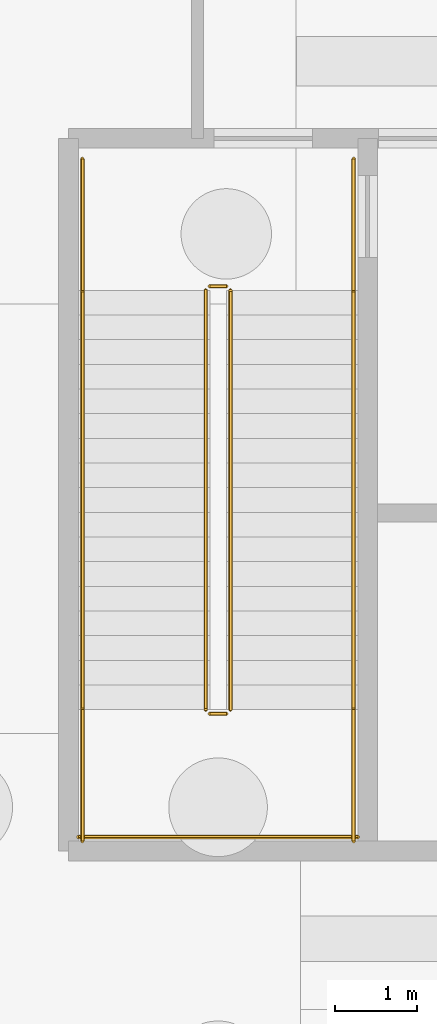
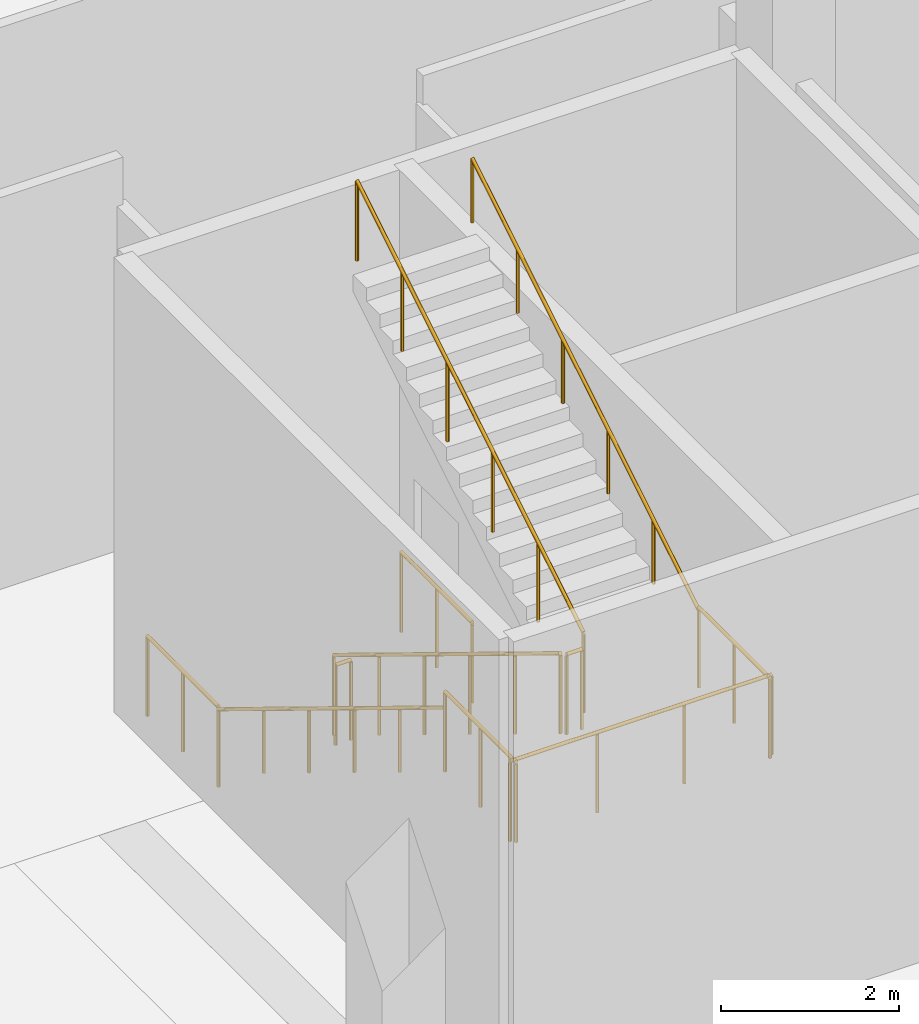
# One storey, part 106 of 117: 11 railings.
"""IFC4 building model written with IfcOpenShell, lengths in metres."""

from ifc_helpers import new_model, si_unit, direction, frame, origin, origin_2d, place, context, subcontext, project, spatial, circle, extrude, material, type_object, element, save


model = new_model("IFC4")

# Units and contexts
model_context = context("Model", 3, precision=1e-05, world=origin(), true_north=direction((0.0, 1.0)))
body_context = subcontext(model_context, "Body", "Model", "MODEL_VIEW")
ifc_project = project(units=[si_unit("LENGTHUNIT", "METRE"), si_unit("AREAUNIT", "SQUARE_METRE"), si_unit("VOLUMEUNIT", "CUBIC_METRE"), si_unit("PLANEANGLEUNIT", "RADIAN"), si_unit("MASSUNIT", "GRAM", prefix="KILO")], contexts=[model_context])

# Site, building, storey
site_placement = place(None, origin())
site = spatial("IfcSite", under=ifc_project, at=site_placement, CompositionType="ELEMENT")
building_placement = place(site_placement, origin())
building = spatial("IfcBuilding", under=site, at=building_placement, Name="Kamomehara Wholesale Market", CompositionType="ELEMENT")
storey_placement = place(building_placement, origin())
storey = spatial("IfcBuildingStorey", under=building, at=storey_placement, Name="L00", CompositionType="ELEMENT", Elevation=0.0)

# Railings
ifc_material_1 = material(Name="Steel SN400B", Category="steel")
railing_type_1 = type_object("IfcRailingType", Name="RAL-HND-900", PredefinedType="HANDRAIL", material=ifc_material_1)
railing_1_placement = place(storey_placement, frame((50.75, 128.75, 0.183349609375)))
element("IfcRailing", 1, at=railing_1_placement, inside=storey, type_object=railing_type_1, Name="L00 ST-01 stair handrail 1", PredefinedType="HANDRAIL", context=body_context, shape_type="SweptSolid", body=[
    extrude(circle(Radius=0.02392578125, at=origin_2d()), frame((0.0, 0.0, 0.8759765625), z_axis=(0.0, -0.853283853024, 0.521446705012), x_axis=(1.0, 0.0, 0.0)), (0.0, 0.0, 1.0), 5.97705078125),
    extrude(circle(Radius=0.02099609375, at=origin_2d()), origin(), (0.0, 0.0, 1.0), 0.851806640625),
    extrude(circle(Radius=0.02099609375, at=origin_2d()), frame((0.0, -1.02001953125, 0.623291015625)), (0.0, 0.0, 1.0), 0.851806640625),
    extrude(circle(Radius=0.02099609375, at=origin_2d()), frame((0.0, -2.0400390625, 1.24658203125)), (0.0, 0.0, 1.0), 0.851806640625),
    extrude(circle(Radius=0.02099609375, at=origin_2d()), frame((0.0, -3.06005859375, 1.8701171875)), (0.0, 0.0, 1.0), 0.851806640625),
    extrude(circle(Radius=0.02099609375, at=origin_2d()), frame((0.0, -4.080078125, 2.493408203125)), (0.0, 0.0, 1.0), 0.851806640625),
    extrude(circle(Radius=0.02099609375, at=origin_2d()), frame((0.0, -5.10009765625, 3.11669921875)), (0.0, 0.0, 1.0), 0.851806640625),
])
railing_2_placement = place(storey_placement, frame((54.050048828125, 123.64990234375, 3.4833984375)))
element("IfcRailing", 2, at=railing_2_placement, inside=storey, type_object=railing_type_1, Name="L00 ST-01 stair handrail 2", PredefinedType="HANDRAIL", context=body_context, shape_type="SweptSolid", body=[
    extrude(circle(Radius=0.02392578125, at=origin_2d()), frame((0.0, 0.0, 0.8759765625), z_axis=(0.0, 0.853283853024, 0.521446705012), x_axis=(-1.0, 0.0, 0.0)), (0.0, 0.0, 1.0), 5.97705078125),
    extrude(circle(Radius=0.02099609375, at=origin_2d()), origin(), (0.0, 0.0, 1.0), 0.851806640625),
    extrude(circle(Radius=0.02099609375, at=origin_2d()), frame((0.0, 1.02001953125, 0.623291015625)), (0.0, 0.0, 1.0), 0.851806640625),
    extrude(circle(Radius=0.02099609375, at=origin_2d()), frame((0.0, 2.0400390625, 1.24658203125)), (0.0, 0.0, 1.0), 0.851806640625),
    extrude(circle(Radius=0.02099609375, at=origin_2d()), frame((0.0, 3.06005859375, 1.8701171875)), (0.0, 0.0, 1.0), 0.851806640625),
    extrude(circle(Radius=0.02099609375, at=origin_2d()), frame((0.0, 4.080078125, 2.493408203125)), (0.0, 0.0, 1.0), 0.851806640625),
    extrude(circle(Radius=0.02099609375, at=origin_2d()), frame((0.0, 5.10009765625, 3.11669921875)), (0.0, 0.0, 1.0), 0.851806640625),
])
ifc_material_2 = material(Name="Steel SN400B", Category="steel")
railing_type_2 = type_object("IfcRailingType", Name="RAL-INT-1100", PredefinedType="BALUSTRADE", material=ifc_material_2)
railing_3_placement = place(storey_placement, frame((52.25, 128.75, 0.183349609375)))
element("IfcRailing", 3, at=railing_3_placement, inside=storey, type_object=railing_type_2, Name="L00 ST-01 stair guard 1", PredefinedType="BALUSTRADE", context=body_context, shape_type="SweptSolid", body=[
    extrude(circle(Radius=0.02392578125, at=origin_2d()), frame((0.0, 0.0, 1.09619140625), z_axis=(0.0, -0.853283853024, 0.521446705012), x_axis=(1.0, 0.0, 0.0)), (0.0, 0.0, 1.0), 5.97705078125),
    extrude(circle(Radius=0.02099609375, at=origin_2d()), origin(), (0.0, 0.0, 1.0), 1.072021484375),
    extrude(circle(Radius=0.02099609375, at=origin_2d()), frame((0.0, -1.02001953125, 0.623291015625)), (0.0, 0.0, 1.0), 1.072021484375),
    extrude(circle(Radius=0.02099609375, at=origin_2d()), frame((0.0, -2.0400390625, 1.24658203125)), (0.0, 0.0, 1.0), 1.072021484375),
    extrude(circle(Radius=0.02099609375, at=origin_2d()), frame((0.0, -3.06005859375, 1.8701171875)), (0.0, 0.0, 1.0), 1.072021484375),
    extrude(circle(Radius=0.02099609375, at=origin_2d()), frame((0.0, -4.080078125, 2.493408203125)), (0.0, 0.0, 1.0), 1.072021484375),
    extrude(circle(Radius=0.02099609375, at=origin_2d()), frame((0.0, -5.10009765625, 3.11669921875)), (0.0, 0.0, 1.0), 1.072021484375),
])
railing_4_placement = place(storey_placement, frame((52.300048828125, 123.60009765625, 3.300048828125)))
element("IfcRailing", 4, at=railing_4_placement, inside=storey, type_object=railing_type_2, Name="L00 ST-01 stair guard 2", PredefinedType="BALUSTRADE", context=body_context, shape_type="SweptSolid", body=[
    extrude(circle(Radius=0.02392578125, at=origin_2d()), frame((0.0, 0.0, 1.09619140625), z_axis=(1.0, 0.0, 0.0), x_axis=(0.0, 1.0, 0.0)), (0.0, 0.0, 1.0), 0.199951171875),
    extrude(circle(Radius=0.02099609375, at=origin_2d()), origin(), (0.0, 0.0, 1.0), 1.072021484375),
    extrude(circle(Radius=0.02099609375, at=origin_2d()), frame((0.199951171875, 0.0, 0.0)), (0.0, 0.0, 1.0), 1.072021484375),
])
for number, where, name in (
    (5, (50.75, 123.64990234375, 3.300048828125), "L00 ST-01 stair guard 3"),
    (6, (54.050048828125, 123.64990234375, 3.300048828125), "L00 ST-01 stair guard 4"),
):
    element("IfcRailing", number, at=place(storey_placement, frame(where)), inside=storey, type_object=railing_type_2, Name=name, PredefinedType="BALUSTRADE", context=body_context, shape_type="SweptSolid", body=[
        extrude(circle(Radius=0.02392578125, at=origin_2d()), frame((0.0, 0.0, 1.09619140625), z_axis=(0.0, -1.0, 0.0), x_axis=(1.0, 0.0, 0.0)), (0.0, 0.0, 1.0), 1.599853515625),
        extrude(circle(Radius=0.02099609375, at=origin_2d()), origin(), (0.0, 0.0, 1.0), 1.072021484375),
        extrude(circle(Radius=0.02099609375, at=origin_2d()), frame((0.0, -0.7998046875, 0.0)), (0.0, 0.0, 1.0), 1.072021484375),
        extrude(circle(Radius=0.02099609375, at=origin_2d()), frame((0.0, -1.599853515625, 0.0)), (0.0, 0.0, 1.0), 1.072021484375),
    ])
railing_5_placement = place(storey_placement, frame((50.699951171875, 122.10009765625, 3.300048828125)))
element("IfcRailing", 7, at=railing_5_placement, inside=storey, type_object=railing_type_2, Name="L00 ST-01 stair guard 5", PredefinedType="BALUSTRADE", context=body_context, shape_type="SweptSolid", body=[
    extrude(circle(Radius=0.02392578125, at=origin_2d()), frame((0.0, 0.0, 1.09619140625), z_axis=(1.0, 0.0, 0.0), x_axis=(0.0, 1.0, 0.0)), (0.0, 0.0, 1.0), 3.400146484375),
    extrude(circle(Radius=0.02099609375, at=origin_2d()), origin(), (0.0, 0.0, 1.0), 1.072021484375),
    extrude(circle(Radius=0.02099609375, at=origin_2d()), frame((1.13330078125, 0.0, 0.0)), (0.0, 0.0, 1.0), 1.072021484375),
    extrude(circle(Radius=0.02099609375, at=origin_2d()), frame((2.266845703125, 0.0, 0.0)), (0.0, 0.0, 1.0), 1.072021484375),
    extrude(circle(Radius=0.02099609375, at=origin_2d()), frame((3.400146484375, 0.0, 0.0)), (0.0, 0.0, 1.0), 1.072021484375),
])
railing_6_placement = place(storey_placement, frame((52.550048828125, 123.64990234375, 3.4833984375)))
element("IfcRailing", 8, at=railing_6_placement, inside=storey, type_object=railing_type_2, Name="L00 ST-01 stair guard 6", PredefinedType="BALUSTRADE", context=body_context, shape_type="SweptSolid", body=[
    extrude(circle(Radius=0.02392578125, at=origin_2d()), frame((0.0, 0.0, 1.09619140625), z_axis=(0.0, 0.853283853024, 0.521446705012), x_axis=(-1.0, 0.0, 0.0)), (0.0, 0.0, 1.0), 5.97705078125),
    extrude(circle(Radius=0.02099609375, at=origin_2d()), origin(), (0.0, 0.0, 1.0), 1.072021484375),
    extrude(circle(Radius=0.02099609375, at=origin_2d()), frame((0.0, 1.02001953125, 0.623291015625)), (0.0, 0.0, 1.0), 1.072021484375),
    extrude(circle(Radius=0.02099609375, at=origin_2d()), frame((0.0, 2.0400390625, 1.24658203125)), (0.0, 0.0, 1.0), 1.072021484375),
    extrude(circle(Radius=0.02099609375, at=origin_2d()), frame((0.0, 3.06005859375, 1.8701171875)), (0.0, 0.0, 1.0), 1.072021484375),
    extrude(circle(Radius=0.02099609375, at=origin_2d()), frame((0.0, 4.080078125, 2.493408203125)), (0.0, 0.0, 1.0), 1.072021484375),
    extrude(circle(Radius=0.02099609375, at=origin_2d()), frame((0.0, 5.10009765625, 3.11669921875)), (0.0, 0.0, 1.0), 1.072021484375),
])
railing_7_placement = place(storey_placement, frame((52.300048828125, 128.800048828125, 0.0)))
element("IfcRailing", 9, at=railing_7_placement, inside=storey, type_object=railing_type_2, Name="L00 ST-01 stair guard 7", PredefinedType="BALUSTRADE", context=body_context, shape_type="SweptSolid", body=[
    extrude(circle(Radius=0.02392578125, at=origin_2d()), frame((0.0, 0.0, 1.09619140625), z_axis=(1.0, 0.0, 0.0), x_axis=(0.0, 1.0, 0.0)), (0.0, 0.0, 1.0), 0.199951171875),
    extrude(circle(Radius=0.02099609375, at=origin_2d()), origin(), (0.0, 0.0, 1.0), 1.072021484375),
    extrude(circle(Radius=0.02099609375, at=origin_2d()), frame((0.199951171875, 0.0, 0.0)), (0.0, 0.0, 1.0), 1.072021484375),
])
for number, where, name in (
    (10, (50.75, 130.35009765625, 0.0), "L00 ST-01 stair guard 8"),
    (11, (54.050048828125, 130.35009765625, 0.0), "L00 ST-01 stair guard 9"),
):
    element("IfcRailing", number, at=place(storey_placement, frame(where)), inside=storey, type_object=railing_type_2, Name=name, PredefinedType="BALUSTRADE", context=body_context, shape_type="SweptSolid", body=[
        extrude(circle(Radius=0.02392578125, at=origin_2d()), frame((0.0, 0.0, 1.09619140625), z_axis=(0.0, -1.0, 0.0), x_axis=(1.0, 0.0, 0.0)), (0.0, 0.0, 1.0), 1.60009765625),
        extrude(circle(Radius=0.02099609375, at=origin_2d()), origin(), (0.0, 0.0, 1.0), 1.072021484375),
        extrude(circle(Radius=0.02099609375, at=origin_2d()), frame((0.0, -0.800048828125, 0.0)), (0.0, 0.0, 1.0), 1.072021484375),
        extrude(circle(Radius=0.02099609375, at=origin_2d()), frame((0.0, -1.60009765625, 0.0)), (0.0, 0.0, 1.0), 1.072021484375),
    ])

save(model, "model.ifc")
